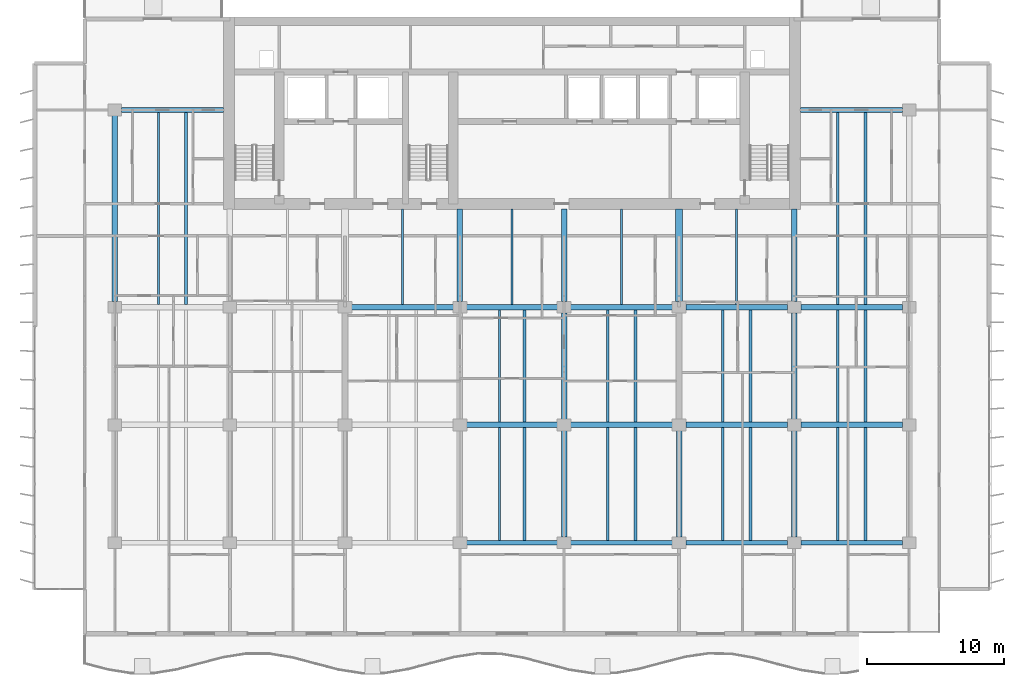
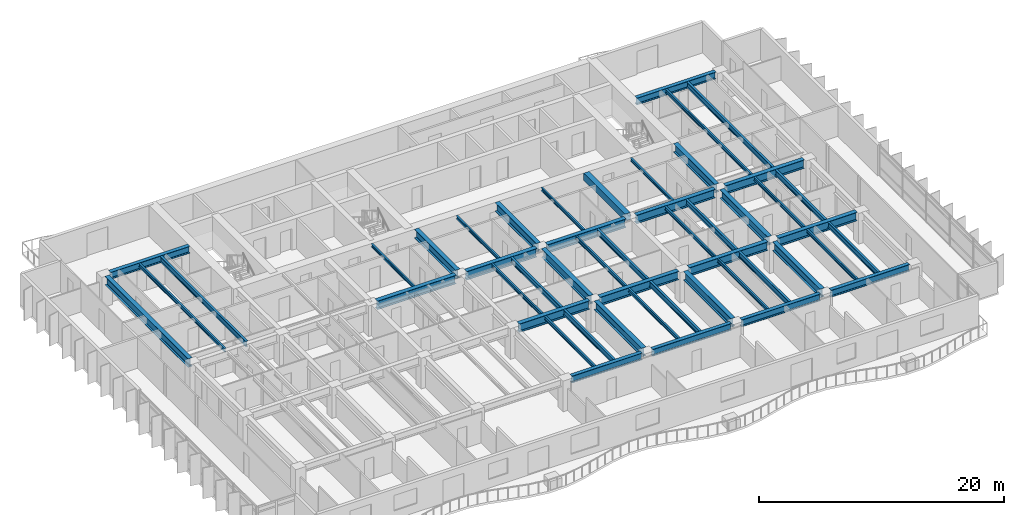
# One storey, part 3 of 16: 49 beams.
"""IFC4 building model written with IfcOpenShell, lengths in metres."""

from ifc_helpers import new_model, si_unit, direction, frame, origin, origin_2d, place, context, subcontext, project, spatial, rectangle, i_section, extrude, material, material_profile, profile_set, type_object, element, save


model = new_model("IFC4")

# Units and contexts
model_context = context("Model", 3, precision=1e-05, world=origin(), true_north=direction((0.0, 1.0)))
body_context = subcontext(model_context, "Body", "Model", "MODEL_VIEW")
ifc_project = project(units=[si_unit("LENGTHUNIT", "METRE"), si_unit("AREAUNIT", "SQUARE_METRE"), si_unit("VOLUMEUNIT", "CUBIC_METRE"), si_unit("PLANEANGLEUNIT", "RADIAN"), si_unit("MASSUNIT", "GRAM", prefix="KILO")], contexts=[model_context])

# Site, building, storey
site_placement = place(None, origin())
site = spatial("IfcSite", under=ifc_project, at=site_placement, CompositionType="ELEMENT")
building_placement = place(site_placement, origin())
building = spatial("IfcBuilding", under=site, at=building_placement, Name="Caelmar Bay Residences", CompositionType="ELEMENT")
storey_placement = place(building_placement, frame((0.0, 0.0, 102.60009765625)))
storey = spatial("IfcBuildingStorey", under=building, at=storey_placement, Name="L27", CompositionType="ELEMENT", Elevation=102.60009765625)

# Beams
ifc_material_1 = material(Name="Steel ASTM A992 Grade 50", Category="steel")
ifc_material_profile_1 = material_profile(ifc_material_1, i_section(OverallWidth=0.40087890625, OverallDepth=0.861083984375, WebThickness=0.019775390625, FlangeThickness=0.032470703125, FilletRadius=0.017822265625, at=origin_2d()), Name="W33X221")
ifc_profile_set_1 = profile_set([ifc_material_profile_1], Name="Steel ASTM A992 Grade 50")
beam_type_1 = type_object("IfcBeamType", Name="BM-GRD-W33X221", PredefinedType="BEAM", material=ifc_profile_set_1)
beam_1_placement = place(storey_placement, frame((35.590087890625, 20.800048828125, 2.619384765625), z_axis=(1.0, 0.0, 0.0), x_axis=(0.0, 1.0, 0.0)))
element("IfcBeam", 1, at=beam_1_placement, inside=storey, type_object=beam_type_1, Name="L27 East-West Girder Y=20.80 (35.1-42.7)", PredefinedType="BEAM", context=body_context, shape_type="SweptSolid", body=[
    extrude(i_section(OverallWidth=0.40087890625, OverallDepth=0.861083984375, WebThickness=0.019775390625, FlangeThickness=0.032470703125, FilletRadius=0.017822265625, at=origin_2d()), origin(), (0.0, 0.0, 1.0), 6.619873046875),
])
beam_2_placement = place(storey_placement, frame((43.18994140625, 20.800048828125, 2.619384765625), z_axis=(1.0, 0.0, 0.0), x_axis=(0.0, 1.0, 0.0)))
element("IfcBeam", 2, at=beam_2_placement, inside=storey, type_object=beam_type_1, Name="L27 East-West Girder Y=20.80 (42.7-51.1)", PredefinedType="BEAM", context=body_context, shape_type="SweptSolid", body=[
    extrude(i_section(OverallWidth=0.40087890625, OverallDepth=0.861083984375, WebThickness=0.019775390625, FlangeThickness=0.032470703125, FilletRadius=0.017822265625, at=origin_2d()), origin(), (0.0, 0.0, 1.0), 7.420166015625),
])
for number, where, z_axis, x_axis, name in (
    (3, (51.590087890625, 20.800048828125, 2.619384765625), (1.0, 0.0, 0.0), (0.0, 1.0, 0.0), "L27 East-West Girder Y=20.80 (51.1-59.5)"),
    (4, (59.989990234375, 20.800048828125, 2.619384765625), (1.0, 0.0, 0.0), (0.0, 1.0, 0.0), "L27 East-West Girder Y=20.80 (59.5-67.9)"),
):
    element("IfcBeam", number, at=place(storey_placement, frame(where, z_axis=z_axis, x_axis=x_axis)), inside=storey, type_object=beam_type_1, Name=name, PredefinedType="BEAM", context=body_context, shape_type="SweptSolid", body=[
        extrude(i_section(OverallWidth=0.40087890625, OverallDepth=0.861083984375, WebThickness=0.019775390625, FlangeThickness=0.032470703125, FilletRadius=0.017822265625, at=origin_2d()), origin(), (0.0, 0.0, 1.0), 7.419921875),
    ])
beam_3_placement = place(storey_placement, frame((27.18994140625, 29.39990234375, 2.619384765625), z_axis=(1.0, 0.0, 0.0), x_axis=(0.0, 1.0, 0.0)))
element("IfcBeam", 5, at=beam_3_placement, inside=storey, type_object=beam_type_1, Name="L27 East-West Girder Y=29.40 (26.7-35.1)", PredefinedType="BEAM", context=body_context, shape_type="SweptSolid", body=[
    extrude(i_section(OverallWidth=0.40087890625, OverallDepth=0.861083984375, WebThickness=0.019775390625, FlangeThickness=0.032470703125, FilletRadius=0.017822265625, at=origin_2d()), origin(), (0.0, 0.0, 1.0), 7.420166015625),
])
beam_4_placement = place(storey_placement, frame((35.590087890625, 29.39990234375, 2.619384765625), z_axis=(1.0, 0.0, 0.0), x_axis=(0.0, 1.0, 0.0)))
element("IfcBeam", 6, at=beam_4_placement, inside=storey, type_object=beam_type_1, Name="L27 East-West Girder Y=29.40 (35.1-42.7)", PredefinedType="BEAM", context=body_context, shape_type="SweptSolid", body=[
    extrude(i_section(OverallWidth=0.40087890625, OverallDepth=0.861083984375, WebThickness=0.019775390625, FlangeThickness=0.032470703125, FilletRadius=0.017822265625, at=origin_2d()), origin(), (0.0, 0.0, 1.0), 6.619873046875),
])
beam_5_placement = place(storey_placement, frame((43.18994140625, 29.39990234375, 2.619384765625), z_axis=(1.0, 0.0, 0.0), x_axis=(0.0, 1.0, 0.0)))
element("IfcBeam", 7, at=beam_5_placement, inside=storey, type_object=beam_type_1, Name="L27 East-West Girder Y=29.40 (42.7-51.1)", PredefinedType="BEAM", context=body_context, shape_type="SweptSolid", body=[
    extrude(i_section(OverallWidth=0.40087890625, OverallDepth=0.861083984375, WebThickness=0.019775390625, FlangeThickness=0.032470703125, FilletRadius=0.017822265625, at=origin_2d()), origin(), (0.0, 0.0, 1.0), 7.420166015625),
])
for number, where, z_axis, x_axis, name in (
    (8, (51.590087890625, 29.39990234375, 2.619384765625), (1.0, 0.0, 0.0), (0.0, 1.0, 0.0), "L27 East-West Girder Y=29.40 (51.1-59.5)"),
    (9, (59.989990234375, 29.39990234375, 2.619384765625), (1.0, 0.0, 0.0), (0.0, 1.0, 0.0), "L27 East-West Girder Y=29.40 (59.5-67.9)"),
):
    element("IfcBeam", number, at=place(storey_placement, frame(where, z_axis=z_axis, x_axis=x_axis)), inside=storey, type_object=beam_type_1, Name=name, PredefinedType="BEAM", context=body_context, shape_type="SweptSolid", body=[
        extrude(i_section(OverallWidth=0.40087890625, OverallDepth=0.861083984375, WebThickness=0.019775390625, FlangeThickness=0.032470703125, FilletRadius=0.017822265625, at=origin_2d()), origin(), (0.0, 0.0, 1.0), 7.419921875),
    ])
beam_6_placement = place(storey_placement, frame((9.89990234375, 29.81494140625, 2.619384765625), z_axis=(0.0, 1.0, 0.0), x_axis=(-1.0, 0.0, 0.0)))
element("IfcBeam", 10, at=beam_6_placement, inside=storey, type_object=beam_type_1, Name="L27 North-South Girder X=9.90 (29.4-43.8)", PredefinedType="BEAM", context=body_context, shape_type="SweptSolid", body=[
    extrude(i_section(OverallWidth=0.40087890625, OverallDepth=0.861083984375, WebThickness=0.019775390625, FlangeThickness=0.032470703125, FilletRadius=0.017822265625, at=origin_2d()), origin(), (0.0, 0.0, 1.0), 13.570068359375),
])
for number, where, z_axis, x_axis, name in (
    (11, (35.10009765625, 29.81494140625, 2.619384765625), (0.0, 1.0, 0.0), (-1.0, 0.0, 0.0), "L27 Core Tie Girder X=35.10"),
    (12, (42.699951171875, 29.81494140625, 2.619384765625), (0.0, 1.0, 0.0), (-1.0, 0.0, 0.0), "L27 Core Tie Girder X=42.70"),
):
    element("IfcBeam", number, at=place(storey_placement, frame(where, z_axis=z_axis, x_axis=x_axis)), inside=storey, type_object=beam_type_1, Name=name, PredefinedType="BEAM", context=body_context, shape_type="SweptSolid", body=[
        extrude(i_section(OverallWidth=0.40087890625, OverallDepth=0.861083984375, WebThickness=0.019775390625, FlangeThickness=0.032470703125, FilletRadius=0.017822265625, at=origin_2d()), origin(), (0.0, 0.0, 1.0), 6.735107421875),
    ])
for number, where, z_axis, x_axis, name in (
    (13, (42.699951171875, 12.614990234375, 2.619384765625), (0.0, 1.0, 0.0), (-1.0, 0.0, 0.0), "L27 North-South Girder X=42.70 (12.2-20.8)"),
    (14, (42.699951171875, 21.215087890625, 2.619384765625), (0.0, 1.0, 0.0), (-1.0, 0.0, 0.0), "L27 North-South Girder X=42.70 (20.8-29.4)"),
    (15, (51.10009765625, 12.614990234375, 2.619384765625), (0.0, 1.0, 0.0), (-1.0, 0.0, 0.0), "L27 North-South Girder X=51.10 (12.2-20.8)"),
):
    element("IfcBeam", number, at=place(storey_placement, frame(where, z_axis=z_axis, x_axis=x_axis)), inside=storey, type_object=beam_type_1, Name=name, PredefinedType="BEAM", context=body_context, shape_type="SweptSolid", body=[
        extrude(i_section(OverallWidth=0.40087890625, OverallDepth=0.861083984375, WebThickness=0.019775390625, FlangeThickness=0.032470703125, FilletRadius=0.017822265625, at=origin_2d()), origin(), (0.0, 0.0, 1.0), 7.77001953125),
    ])
beam_7_placement = place(storey_placement, frame((59.5, 29.81494140625, 2.619384765625), z_axis=(0.0, 1.0, 0.0), x_axis=(-1.0, 0.0, 0.0)))
element("IfcBeam", 16, at=beam_7_placement, inside=storey, type_object=beam_type_1, Name="L27 Core Tie Girder X=59.50", PredefinedType="BEAM", context=body_context, shape_type="SweptSolid", body=[
    extrude(i_section(OverallWidth=0.40087890625, OverallDepth=0.861083984375, WebThickness=0.019775390625, FlangeThickness=0.032470703125, FilletRadius=0.017822265625, at=origin_2d()), origin(), (0.0, 0.0, 1.0), 6.735107421875),
])
for number, where, z_axis, x_axis, name in (
    (17, (59.5, 12.614990234375, 2.619384765625), (0.0, 1.0, 0.0), (-1.0, 0.0, 0.0), "L27 North-South Girder X=59.50 (12.2-20.8)"),
    (18, (59.5, 21.215087890625, 2.619384765625), (0.0, 1.0, 0.0), (-1.0, 0.0, 0.0), "L27 North-South Girder X=59.50 (20.8-29.4)"),
):
    element("IfcBeam", number, at=place(storey_placement, frame(where, z_axis=z_axis, x_axis=x_axis)), inside=storey, type_object=beam_type_1, Name=name, PredefinedType="BEAM", context=body_context, shape_type="SweptSolid", body=[
        extrude(i_section(OverallWidth=0.40087890625, OverallDepth=0.861083984375, WebThickness=0.019775390625, FlangeThickness=0.032470703125, FilletRadius=0.017822265625, at=origin_2d()), origin(), (0.0, 0.0, 1.0), 7.77001953125),
    ])
ifc_material_profile_2 = material_profile(ifc_material_1, i_section(OverallWidth=0.1650390625, OverallDepth=0.31005859375, WebThickness=0.005859375, FlangeThickness=0.009765625, FilletRadius=0.007568359375, at=origin_2d()), Name="W12X26")
ifc_profile_set_2 = profile_set([ifc_material_profile_2], Name="Steel ASTM A992 Grade 50")
beam_type_2 = type_object("IfcBeamType", Name="BM-JST-W12X26", PredefinedType="JOIST", material=ifc_profile_set_2)
for number, where, z_axis, x_axis, name in (
    (19, (30.89990234375, 29.6005859375, 2.89501953125), (0.0, 1.0, 0.0), (-1.0, 0.0, 0.0), "L27 Core-Band Composite Joist 30"),
    (20, (38.89990234375, 29.6005859375, 2.89501953125), (0.0, 1.0, 0.0), (-1.0, 0.0, 0.0), "L27 Core-Band Composite Joist 31"),
    (21, (46.89990234375, 29.6005859375, 2.89501953125), (0.0, 1.0, 0.0), (-1.0, 0.0, 0.0), "L27 Core-Band Composite Joist 32"),
    (22, (55.300048828125, 29.6005859375, 2.89501953125), (0.0, 1.0, 0.0), (-1.0, 0.0, 0.0), "L27 Core-Band Composite Joist 33"),
):
    element("IfcBeam", number, at=place(storey_placement, frame(where, z_axis=z_axis, x_axis=x_axis)), inside=storey, type_object=beam_type_2, Name=name, PredefinedType="JOIST", context=body_context, shape_type="SweptSolid", body=[
        extrude(i_section(OverallWidth=0.1650390625, OverallDepth=0.31005859375, WebThickness=0.005859375, FlangeThickness=0.009765625, FilletRadius=0.007568359375, at=origin_2d()), origin(), (0.0, 0.0, 1.0), 6.949462890625),
    ])
ifc_material_profile_3 = material_profile(ifc_material_1, i_section(OverallWidth=0.1708984375, OverallDepth=0.35595703125, WebThickness=0.007080078125, FlangeThickness=0.01171875, FilletRadius=0.007568359375, at=origin_2d()), Name="W14X34")
ifc_profile_set_3 = profile_set([ifc_material_profile_3], Name="Steel ASTM A992 Grade 50")
beam_type_3 = type_object("IfcBeamType", Name="BM-JST-W14X34", PredefinedType="JOIST", material=ifc_profile_set_3)
for number, where, z_axis, x_axis, name in (
    (23, (37.988037109375, 12.3779296875, 2.871826171875), (0.0, 1.0, 0.0), (-1.0, 0.0, 0.0), "L27 Composite Floor Joist 7"),
    (24, (45.89208984375, 12.3779296875, 2.871826171875), (0.0, 1.0, 0.0), (-1.0, 0.0, 0.0), "L27 Composite Floor Joist 9"),
    (25, (54.2919921875, 12.3779296875, 2.871826171875), (0.0, 1.0, 0.0), (-1.0, 0.0, 0.0), "L27 Composite Floor Joist 11"),
    (26, (62.69189453125, 12.3779296875, 2.871826171875), (0.0, 1.0, 0.0), (-1.0, 0.0, 0.0), "L27 Composite Floor Joist 13"),
):
    element("IfcBeam", number, at=place(storey_placement, frame(where, z_axis=z_axis, x_axis=x_axis)), inside=storey, type_object=beam_type_3, Name=name, PredefinedType="JOIST", context=body_context, shape_type="SweptSolid", body=[
        extrude(i_section(OverallWidth=0.1708984375, OverallDepth=0.35595703125, WebThickness=0.007080078125, FlangeThickness=0.01171875, FilletRadius=0.007568359375, at=origin_2d()), origin(), (0.0, 0.0, 1.0), 8.2216796875),
    ])
for number, where, z_axis, x_axis, name in (
    (27, (37.988037109375, 21.00048828125, 2.871826171875), (0.0, 1.0, 0.0), (-1.0, 0.0, 0.0), "L27 Composite Floor Joist 21"),
    (28, (45.89208984375, 21.00048828125, 2.871826171875), (0.0, 1.0, 0.0), (-1.0, 0.0, 0.0), "L27 Composite Floor Joist 23"),
    (29, (54.2919921875, 21.00048828125, 2.871826171875), (0.0, 1.0, 0.0), (-1.0, 0.0, 0.0), "L27 Composite Floor Joist 25"),
    (30, (62.69189453125, 21.00048828125, 2.871826171875), (0.0, 1.0, 0.0), (-1.0, 0.0, 0.0), "L27 Composite Floor Joist 27"),
):
    element("IfcBeam", number, at=place(storey_placement, frame(where, z_axis=z_axis, x_axis=x_axis)), inside=storey, type_object=beam_type_3, Name=name, PredefinedType="JOIST", context=body_context, shape_type="SweptSolid", body=[
        extrude(i_section(OverallWidth=0.1708984375, OverallDepth=0.35595703125, WebThickness=0.007080078125, FlangeThickness=0.01171875, FilletRadius=0.007568359375, at=origin_2d()), origin(), (0.0, 0.0, 1.0), 8.198974609375),
    ])
for number, where, z_axis, x_axis, name in (
    (31, (13.092041015625, 29.6005859375, 2.871826171875), (0.0, 1.0, 0.0), (-1.0, 0.0, 0.0), "L27 Composite Floor Joist 34"),
    (32, (62.69189453125, 29.6005859375, 2.871826171875), (0.0, 1.0, 0.0), (-1.0, 0.0, 0.0), "L27 Composite Floor Joist 36"),
):
    element("IfcBeam", number, at=place(storey_placement, frame(where, z_axis=z_axis, x_axis=x_axis)), inside=storey, type_object=beam_type_3, Name=name, PredefinedType="JOIST", context=body_context, shape_type="SweptSolid", body=[
        extrude(i_section(OverallWidth=0.1708984375, OverallDepth=0.35595703125, WebThickness=0.007080078125, FlangeThickness=0.01171875, FilletRadius=0.007568359375, at=origin_2d()), origin(), (0.0, 0.0, 1.0), 14.021484375),
    ])
ifc_material_profile_4 = material_profile(ifc_material_1, i_section(OverallWidth=0.2099609375, OverallDepth=0.535888671875, WebThickness=0.010986328125, FlangeThickness=0.017333984375, FilletRadius=0.0126953125, at=origin_2d()), Name="W21X68")
ifc_profile_set_4 = profile_set([ifc_material_profile_4], Name="Steel ASTM A992 Grade 50")
beam_type_4 = type_object("IfcBeamType", Name="BM-JST-W21X68", PredefinedType="JOIST", material=ifc_profile_set_4)
for number, where, z_axis, x_axis, name in (
    (33, (39.81201171875, 12.3779296875, 2.781982421875), (0.0, 1.0, 0.0), (-1.0, 0.0, 0.0), "L27 Composite Floor Joist 8"),
    (34, (47.907958984375, 12.3779296875, 2.781982421875), (0.0, 1.0, 0.0), (-1.0, 0.0, 0.0), "L27 Composite Floor Joist 10"),
    (35, (56.30810546875, 12.3779296875, 2.781982421875), (0.0, 1.0, 0.0), (-1.0, 0.0, 0.0), "L27 Composite Floor Joist 12"),
    (36, (64.7080078125, 12.3779296875, 2.781982421875), (0.0, 1.0, 0.0), (-1.0, 0.0, 0.0), "L27 Composite Floor Joist 14"),
):
    element("IfcBeam", number, at=place(storey_placement, frame(where, z_axis=z_axis, x_axis=x_axis)), inside=storey, type_object=beam_type_4, Name=name, PredefinedType="JOIST", context=body_context, shape_type="SweptSolid", body=[
        extrude(i_section(OverallWidth=0.2099609375, OverallDepth=0.535888671875, WebThickness=0.010986328125, FlangeThickness=0.017333984375, FilletRadius=0.0126953125, at=origin_2d()), origin(), (0.0, 0.0, 1.0), 8.2216796875),
    ])
for number, where, z_axis, x_axis, name in (
    (37, (39.81201171875, 21.00048828125, 2.781982421875), (0.0, 1.0, 0.0), (-1.0, 0.0, 0.0), "L27 Composite Floor Joist 22"),
    (38, (47.907958984375, 21.00048828125, 2.781982421875), (0.0, 1.0, 0.0), (-1.0, 0.0, 0.0), "L27 Composite Floor Joist 24"),
    (39, (56.30810546875, 21.00048828125, 2.781982421875), (0.0, 1.0, 0.0), (-1.0, 0.0, 0.0), "L27 Composite Floor Joist 26"),
    (40, (64.7080078125, 21.00048828125, 2.781982421875), (0.0, 1.0, 0.0), (-1.0, 0.0, 0.0), "L27 Composite Floor Joist 28"),
):
    element("IfcBeam", number, at=place(storey_placement, frame(where, z_axis=z_axis, x_axis=x_axis)), inside=storey, type_object=beam_type_4, Name=name, PredefinedType="JOIST", context=body_context, shape_type="SweptSolid", body=[
        extrude(i_section(OverallWidth=0.2099609375, OverallDepth=0.535888671875, WebThickness=0.010986328125, FlangeThickness=0.017333984375, FilletRadius=0.0126953125, at=origin_2d()), origin(), (0.0, 0.0, 1.0), 8.198974609375),
    ])
for number, where, z_axis, x_axis, name in (
    (41, (15.10791015625, 29.6005859375, 2.781982421875), (0.0, 1.0, 0.0), (-1.0, 0.0, 0.0), "L27 Composite Floor Joist 35"),
    (42, (64.7080078125, 29.6005859375, 2.781982421875), (0.0, 1.0, 0.0), (-1.0, 0.0, 0.0), "L27 Composite Floor Joist 37"),
):
    element("IfcBeam", number, at=place(storey_placement, frame(where, z_axis=z_axis, x_axis=x_axis)), inside=storey, type_object=beam_type_4, Name=name, PredefinedType="JOIST", context=body_context, shape_type="SweptSolid", body=[
        extrude(i_section(OverallWidth=0.2099609375, OverallDepth=0.535888671875, WebThickness=0.010986328125, FlangeThickness=0.017333984375, FilletRadius=0.0126953125, at=origin_2d()), origin(), (0.0, 0.0, 1.0), 14.021484375),
    ])
ifc_material_2 = material(Name="Concrete f'c 55 MPa (8,000 psi)", Category="concrete")
ifc_material_profile_5 = material_profile(ifc_material_2, rectangle(XDim=0.5, YDim=0.699951171875, at=origin_2d()), Name="RC-BM-500X700")
ifc_profile_set_5 = profile_set([ifc_material_profile_5], Name="Concrete f'c 55 MPa (8,000 psi)")
beam_type_5 = type_object("IfcBeamType", Name="BM-RC-500X700", PredefinedType="LINTEL", material=ifc_profile_set_5)
beam_8_placement = place(storey_placement, frame((51.10009765625, 29.81494140625, 2.699951171875), z_axis=(0.0, 1.0, 0.0), x_axis=(-1.0, 0.0, 0.0)))
element("IfcBeam", 43, at=beam_8_placement, inside=storey, type_object=beam_type_5, Name="L27 Shear-Wall Corridor Coupling Lintel E8", PredefinedType="LINTEL", context=body_context, shape_type="SweptSolid", body=[
    extrude(rectangle(XDim=0.5, YDim=0.699951171875, at=origin_2d()), origin(), (0.0, 0.0, 1.0), 6.735107421875),
])
ifc_material_profile_6 = material_profile(ifc_material_1, i_section(OverallWidth=0.35595703125, OverallDepth=0.696044921875, WebThickness=0.015380859375, FlangeThickness=0.02490234375, FilletRadius=0.01513671875, at=origin_2d()), Name="W27X146")
ifc_profile_set_6 = profile_set([ifc_material_profile_6], Name="Steel ASTM A992 Grade 50")
beam_type_6 = type_object("IfcBeamType", Name="BM-SPN-W27X146", PredefinedType="SPANDREL", material=ifc_profile_set_6)
beam_9_placement = place(storey_placement, frame((35.590087890625, 12.199951171875, 2.701904296875), z_axis=(1.0, 0.0, 0.0), x_axis=(0.0, 1.0, 0.0)))
element("IfcBeam", 44, at=beam_9_placement, inside=storey, type_object=beam_type_6, Name="L27 East-West Girder Y=12.20 (35.1-42.7)", PredefinedType="SPANDREL", context=body_context, shape_type="SweptSolid", body=[
    extrude(i_section(OverallWidth=0.35595703125, OverallDepth=0.696044921875, WebThickness=0.015380859375, FlangeThickness=0.02490234375, FilletRadius=0.01513671875, at=origin_2d()), origin(), (0.0, 0.0, 1.0), 6.619873046875),
])
beam_10_placement = place(storey_placement, frame((43.18994140625, 12.199951171875, 2.701904296875), z_axis=(1.0, 0.0, 0.0), x_axis=(0.0, 1.0, 0.0)))
element("IfcBeam", 45, at=beam_10_placement, inside=storey, type_object=beam_type_6, Name="L27 East-West Girder Y=12.20 (42.7-51.1)", PredefinedType="SPANDREL", context=body_context, shape_type="SweptSolid", body=[
    extrude(i_section(OverallWidth=0.35595703125, OverallDepth=0.696044921875, WebThickness=0.015380859375, FlangeThickness=0.02490234375, FilletRadius=0.01513671875, at=origin_2d()), origin(), (0.0, 0.0, 1.0), 7.420166015625),
])
for number, where, z_axis, x_axis, name in (
    (46, (51.590087890625, 12.199951171875, 2.701904296875), (1.0, 0.0, 0.0), (0.0, 1.0, 0.0), "L27 East-West Girder Y=12.20 (51.1-59.5)"),
    (47, (59.989990234375, 12.199951171875, 2.701904296875), (1.0, 0.0, 0.0), (0.0, 1.0, 0.0), "L27 East-West Girder Y=12.20 (59.5-67.9)"),
):
    element("IfcBeam", number, at=place(storey_placement, frame(where, z_axis=z_axis, x_axis=x_axis)), inside=storey, type_object=beam_type_6, Name=name, PredefinedType="SPANDREL", context=body_context, shape_type="SweptSolid", body=[
        extrude(i_section(OverallWidth=0.35595703125, OverallDepth=0.696044921875, WebThickness=0.015380859375, FlangeThickness=0.02490234375, FilletRadius=0.01513671875, at=origin_2d()), origin(), (0.0, 0.0, 1.0), 7.419921875),
    ])
beam_11_placement = place(storey_placement, frame((10.389892578125, 43.800048828125, 2.701904296875), z_axis=(1.0, 0.0, 0.0), x_axis=(0.0, 1.0, 0.0)))
element("IfcBeam", 48, at=beam_11_placement, inside=storey, type_object=beam_type_6, Name="L27 North-West Wing Core Tie Girder", PredefinedType="SPANDREL", context=body_context, shape_type="SweptSolid", body=[
    extrude(i_section(OverallWidth=0.35595703125, OverallDepth=0.696044921875, WebThickness=0.015380859375, FlangeThickness=0.02490234375, FilletRadius=0.01513671875, at=origin_2d()), origin(), (0.0, 0.0, 1.0), 7.460205078125),
])
beam_12_placement = place(storey_placement, frame((59.949951171875, 43.800048828125, 2.701904296875), z_axis=(1.0, 0.0, 0.0), x_axis=(0.0, 1.0, 0.0)))
element("IfcBeam", 49, at=beam_12_placement, inside=storey, type_object=beam_type_6, Name="L27 North-East Wing Core Tie Girder", PredefinedType="SPANDREL", context=body_context, shape_type="SweptSolid", body=[
    extrude(i_section(OverallWidth=0.35595703125, OverallDepth=0.696044921875, WebThickness=0.015380859375, FlangeThickness=0.02490234375, FilletRadius=0.01513671875, at=origin_2d()), origin(), (0.0, 0.0, 1.0), 7.4599609375),
])

save(model, "model.ifc")
